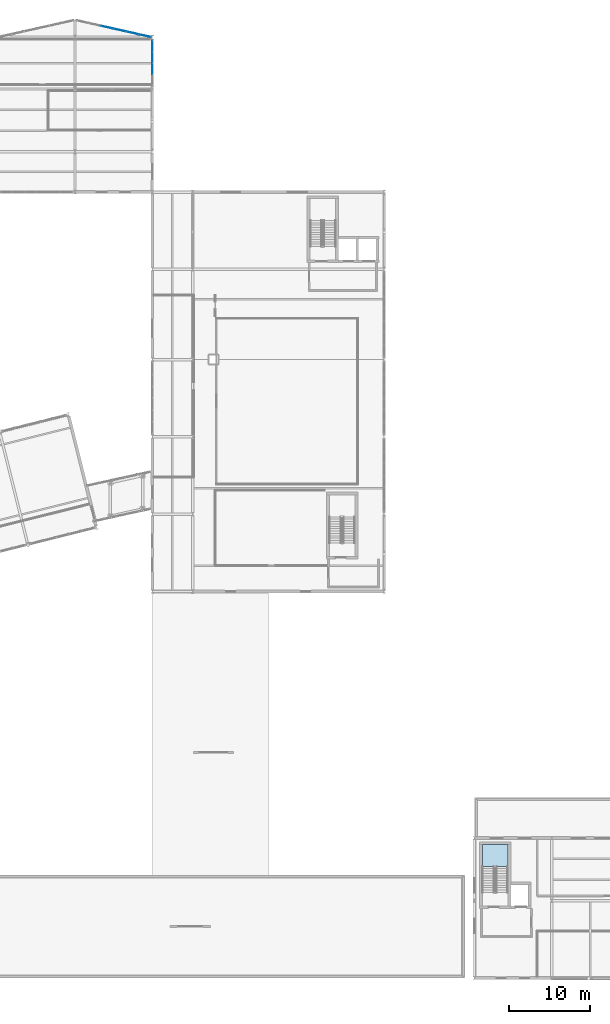
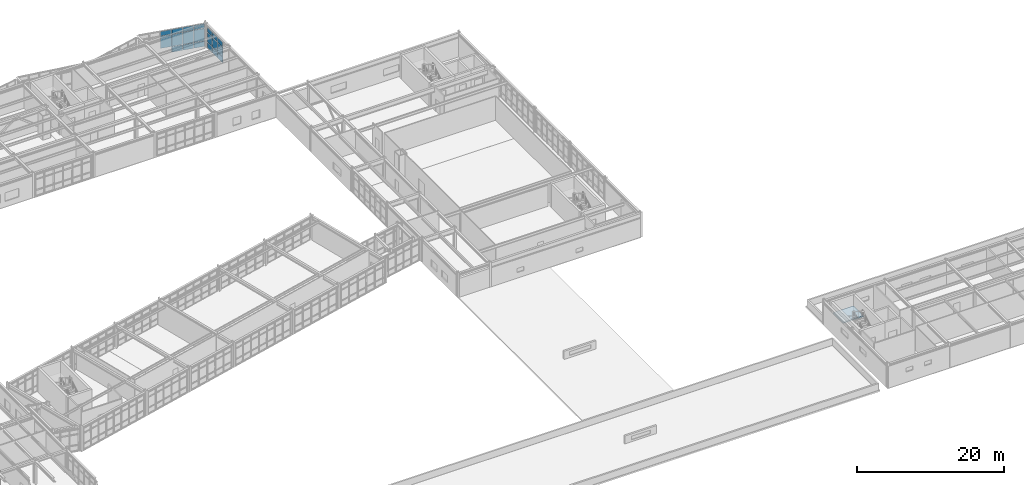
# One storey, part 62 of 88: 20 plates, 1 slab, 3 elements without a shape of their own.
"""IFC4 building model written with IfcOpenShell, lengths in metres."""

from ifc_helpers import new_model, si_unit, direction, frame, origin, origin_2d, place, context, subcontext, project, spatial, polyline, rectangle, outline, extrude, material, layer, layer_set, type_object, element, aggregate, save


model = new_model("IFC4")

# Units and contexts
model_context = context("Model", 3, precision=1e-05, world=origin(), true_north=direction((0.0, 1.0)))
body_context = subcontext(model_context, "Body", "Model", "MODEL_VIEW")
ifc_project = project(units=[si_unit("LENGTHUNIT", "METRE"), si_unit("AREAUNIT", "SQUARE_METRE"), si_unit("VOLUMEUNIT", "CUBIC_METRE"), si_unit("PLANEANGLEUNIT", "RADIAN"), si_unit("MASSUNIT", "GRAM", prefix="KILO")], contexts=[model_context])

# Site, building, storey
site_placement = place(None, origin())
site = spatial("IfcSite", under=ifc_project, at=site_placement, CompositionType="ELEMENT")
building_placement = place(site_placement, origin())
building = spatial("IfcBuilding", under=site, at=building_placement, Name="Nordkorset Police Headquarters", CompositionType="ELEMENT")
storey_placement = place(building_placement, frame((0.0, 0.0, 9.449951171875)))
storey = spatial("IfcBuildingStorey", under=building, at=storey_placement, Name="L02", CompositionType="ELEMENT", Elevation=9.449951171875)

# Curtain wall, plates
ifc_material_1 = material(Name="Aluminium alloy AW-6060", Category="aluminium")
ifc_layer_1 = layer(ifc_material_1, 0.179931640625, Name="Aluminium alloy AW-6060")
ifc_layer_set_1 = layer_set([ifc_layer_1], Name="Aluminium alloy AW-6060")
curtain_wall_type_1 = type_object("IfcCurtainWallType", Name="CW_Unit_956x392", PredefinedType="USERDEFINED", material=ifc_layer_set_1)
curtain_wall_1_placement = place(storey_placement, origin())
curtain_wall_1 = element("IfcCurtainWall", 1, at=curtain_wall_1_placement, inside=storey, type_object=curtain_wall_type_1, Name="Unitised Curtain Wall L02 V2N-5", ObjectType="UNITISED CURTAIN WALL", PredefinedType="USERDEFINED")
ifc_material_2 = material(Name="Low-iron triple glazing", Category="glass")
ifc_layer_2 = layer(ifc_material_2, 0.035888671875, Name="Low-iron triple glazing")
ifc_layer_set_2 = layer_set([ifc_layer_2], Name="Low-iron triple glazing")
plate_type = type_object("IfcPlateType", Name="CW_Panel_TripleGlazing_36", PredefinedType="CURTAIN_PANEL", material=ifc_layer_set_2)
plate_1_placement = place(storey_placement, frame((80.82275390625, 118.049072265625, 1.03271484375), z_axis=(0.0, 0.0, 1.0), x_axis=(0.975827090814, -0.218544020358, 0.0)))
plate_1 = element("IfcPlate", 2, at=plate_1_placement, type_object=plate_type, Name="CW-41 panel 3.2", PredefinedType="CURTAIN_PANEL", context=body_context, shape_type="SweptSolid", body=[
    extrude(rectangle(XDim=1.528076171875, YDim=0.035888671875, at=origin_2d()), origin(), (0.0, 0.0, 1.0), 2.0048828125),
])
plate_2_placement = place(storey_placement, frame((80.82275390625, 118.049072265625, 3.1025390625), z_axis=(0.0, 0.0, 1.0), x_axis=(0.975827090814, -0.218544020358, 0.0)))
plate_2 = element("IfcPlate", 3, at=plate_2_placement, type_object=plate_type, Name="CW-41 panel 3.3", PredefinedType="CURTAIN_PANEL", context=body_context, shape_type="SweptSolid", body=[
    extrude(rectangle(XDim=1.528076171875, YDim=0.035888671875, at=origin_2d()), origin(), (0.0, 0.0, 1.0), 0.75244140625),
])
plate_3_placement = place(storey_placement, frame((82.377197265625, 117.700927734375, 0.06494140625), z_axis=(0.0, 0.0, 1.0), x_axis=(0.975827090814, -0.218544020358, 0.0)))
plate_3 = element("IfcPlate", 4, at=plate_3_placement, type_object=plate_type, Name="CW-41 panel 4.1", PredefinedType="CURTAIN_PANEL", context=body_context, shape_type="SweptSolid", body=[
    extrude(rectangle(XDim=1.528076171875, YDim=0.035888671875, at=origin_2d()), origin(), (0.0, 0.0, 1.0), 0.902587890625),
])
plate_4_placement = place(storey_placement, frame((82.377197265625, 117.700927734375, 1.03271484375), z_axis=(0.0, 0.0, 1.0), x_axis=(0.975827090814, -0.218544020358, 0.0)))
plate_4 = element("IfcPlate", 5, at=plate_4_placement, type_object=plate_type, Name="CW-41 panel 4.2", PredefinedType="CURTAIN_PANEL", context=body_context, shape_type="SweptSolid", body=[
    extrude(rectangle(XDim=1.528076171875, YDim=0.035888671875, at=origin_2d()), origin(), (0.0, 0.0, 1.0), 2.0048828125),
])
plate_5_placement = place(storey_placement, frame((82.377197265625, 117.700927734375, 3.1025390625), z_axis=(0.0, 0.0, 1.0), x_axis=(0.975827090814, -0.218544020358, 0.0)))
plate_5 = element("IfcPlate", 6, at=plate_5_placement, type_object=plate_type, Name="CW-41 panel 4.3", PredefinedType="CURTAIN_PANEL", context=body_context, shape_type="SweptSolid", body=[
    extrude(rectangle(XDim=1.528076171875, YDim=0.035888671875, at=origin_2d()), origin(), (0.0, 0.0, 1.0), 0.75244140625),
])
plate_6_placement = place(storey_placement, frame((83.931640625, 117.352783203125, 0.06494140625), z_axis=(0.0, 0.0, 1.0), x_axis=(0.975827090814, -0.218544020358, 0.0)))
plate_6 = element("IfcPlate", 7, at=plate_6_placement, type_object=plate_type, Name="CW-41 panel 5.1", PredefinedType="CURTAIN_PANEL", context=body_context, shape_type="SweptSolid", body=[
    extrude(rectangle(XDim=1.528076171875, YDim=0.035888671875, at=origin_2d()), origin(), (0.0, 0.0, 1.0), 0.902587890625),
])
plate_7_placement = place(storey_placement, frame((83.931640625, 117.352783203125, 1.03271484375), z_axis=(0.0, 0.0, 1.0), x_axis=(0.975827090814, -0.218544020358, 0.0)))
plate_7 = element("IfcPlate", 8, at=plate_7_placement, type_object=plate_type, Name="CW-41 panel 5.2", PredefinedType="CURTAIN_PANEL", context=body_context, shape_type="SweptSolid", body=[
    extrude(rectangle(XDim=1.528076171875, YDim=0.035888671875, at=origin_2d()), origin(), (0.0, 0.0, 1.0), 2.0048828125),
])
plate_8_placement = place(storey_placement, frame((83.931640625, 117.352783203125, 3.1025390625), z_axis=(0.0, 0.0, 1.0), x_axis=(0.975827090814, -0.218544020358, 0.0)))
plate_8 = element("IfcPlate", 9, at=plate_8_placement, type_object=plate_type, Name="CW-41 panel 5.3", PredefinedType="CURTAIN_PANEL", context=body_context, shape_type="SweptSolid", body=[
    extrude(rectangle(XDim=1.528076171875, YDim=0.035888671875, at=origin_2d()), origin(), (0.0, 0.0, 1.0), 0.75244140625),
])
plate_9_placement = place(storey_placement, frame((85.47021484375, 117.00830078125, 0.06494140625), z_axis=(0.0, 0.0, 1.0), x_axis=(0.975827090814, -0.218544020358, 0.0)))
plate_9 = element("IfcPlate", 10, at=plate_9_placement, type_object=plate_type, Name="CW-41 panel 6.1", PredefinedType="CURTAIN_PANEL", context=body_context, shape_type="SweptSolid", body=[
    extrude(rectangle(XDim=1.495361328125, YDim=0.035888671875, at=origin_2d()), origin(), (0.0, 0.0, 1.0), 0.902587890625),
])
plate_10_placement = place(storey_placement, frame((85.47021484375, 117.00830078125, 1.03271484375), z_axis=(0.0, 0.0, 1.0), x_axis=(0.975827090814, -0.218544020358, 0.0)))
plate_10 = element("IfcPlate", 11, at=plate_10_placement, type_object=plate_type, Name="CW-41 panel 6.2", PredefinedType="CURTAIN_PANEL", context=body_context, shape_type="SweptSolid", body=[
    extrude(rectangle(XDim=1.495361328125, YDim=0.035888671875, at=origin_2d()), origin(), (0.0, 0.0, 1.0), 2.0048828125),
])
plate_11_placement = place(storey_placement, frame((85.47021484375, 117.00830078125, 3.1025390625), z_axis=(0.0, 0.0, 1.0), x_axis=(0.975827090814, -0.218544020358, 0.0)))
plate_11 = element("IfcPlate", 12, at=plate_11_placement, type_object=plate_type, Name="CW-41 panel 6.3", PredefinedType="CURTAIN_PANEL", context=body_context, shape_type="SweptSolid", body=[
    extrude(rectangle(XDim=1.495361328125, YDim=0.035888671875, at=origin_2d()), origin(), (0.0, 0.0, 1.0), 0.75244140625),
])
aggregate(curtain_wall_1, [plate_1, plate_2, plate_3, plate_4, plate_5, plate_6, plate_7, plate_8, plate_9, plate_10, plate_11])

ifc_material_3 = material(Name="Aluminium alloy AW-6060", Category="aluminium")
ifc_layer_3 = layer(ifc_material_3, 0.179931640625, Name="Aluminium alloy AW-6060")
ifc_layer_set_3 = layer_set([ifc_layer_3], Name="Aluminium alloy AW-6060")
curtain_wall_type_2 = type_object("IfcCurtainWallType", Name="CW_Unit_568x351", PredefinedType="USERDEFINED", material=ifc_layer_set_3)
curtain_wall_2_placement = place(storey_placement, origin())
curtain_wall_2 = element("IfcCurtainWall", 13, at=curtain_wall_2_placement, inside=storey, type_object=curtain_wall_type_2, Name="Unitised Curtain Wall L02 V2E-1", ObjectType="UNITISED CURTAIN WALL", PredefinedType="USERDEFINED")
plate_12_placement = place(storey_placement, frame((86.39990234375, 112.889892578125, 0.06494140625), z_axis=(0.0, 0.0, 1.0), x_axis=(0.0, 1.0, 0.0)))
plate_12 = element("IfcPlate", 14, at=plate_12_placement, type_object=plate_type, Name="CW-57 panel 2.1", PredefinedType="CURTAIN_PANEL", context=body_context, shape_type="SweptSolid", body=[
    extrude(rectangle(XDim=1.35498046875, YDim=0.035888671875, at=origin_2d()), origin(), (0.0, 0.0, 1.0), 0.902587890625),
])
plate_13_placement = place(storey_placement, frame((86.39990234375, 112.889892578125, 1.03271484375), z_axis=(0.0, 0.0, 1.0), x_axis=(0.0, 1.0, 0.0)))
plate_13 = element("IfcPlate", 15, at=plate_13_placement, type_object=plate_type, Name="CW-57 panel 2.2", PredefinedType="CURTAIN_PANEL", context=body_context, shape_type="SweptSolid", body=[
    extrude(rectangle(XDim=1.35498046875, YDim=0.035888671875, at=origin_2d()), origin(), (0.0, 0.0, 1.0), 1.594970703125),
])
plate_14_placement = place(storey_placement, frame((86.39990234375, 112.889892578125, 2.692626953125), z_axis=(0.0, 0.0, 1.0), x_axis=(0.0, 1.0, 0.0)))
plate_14 = element("IfcPlate", 16, at=plate_14_placement, type_object=plate_type, Name="CW-57 panel 2.3", PredefinedType="CURTAIN_PANEL", context=body_context, shape_type="SweptSolid", body=[
    extrude(rectangle(XDim=1.35498046875, YDim=0.035888671875, at=origin_2d()), origin(), (0.0, 0.0, 1.0), 0.75244140625),
])
plate_15_placement = place(storey_placement, frame((86.39990234375, 114.31005859375, 0.06494140625), z_axis=(0.0, 0.0, 1.0), x_axis=(0.0, 1.0, 0.0)))
plate_15 = element("IfcPlate", 17, at=plate_15_placement, type_object=plate_type, Name="CW-57 panel 3.1", PredefinedType="CURTAIN_PANEL", context=body_context, shape_type="SweptSolid", body=[
    extrude(rectangle(XDim=1.35498046875, YDim=0.035888671875, at=origin_2d()), origin(), (0.0, 0.0, 1.0), 0.902587890625),
])
plate_16_placement = place(storey_placement, frame((86.39990234375, 114.31005859375, 1.03271484375), z_axis=(0.0, 0.0, 1.0), x_axis=(0.0, 1.0, 0.0)))
plate_16 = element("IfcPlate", 18, at=plate_16_placement, type_object=plate_type, Name="CW-57 panel 3.2", PredefinedType="CURTAIN_PANEL", context=body_context, shape_type="SweptSolid", body=[
    extrude(rectangle(XDim=1.35498046875, YDim=0.035888671875, at=origin_2d()), origin(), (0.0, 0.0, 1.0), 1.594970703125),
])
plate_17_placement = place(storey_placement, frame((86.39990234375, 114.31005859375, 2.692626953125), z_axis=(0.0, 0.0, 1.0), x_axis=(0.0, 1.0, 0.0)))
plate_17 = element("IfcPlate", 19, at=plate_17_placement, type_object=plate_type, Name="CW-57 panel 3.3", PredefinedType="CURTAIN_PANEL", context=body_context, shape_type="SweptSolid", body=[
    extrude(rectangle(XDim=1.35498046875, YDim=0.035888671875, at=origin_2d()), origin(), (0.0, 0.0, 1.0), 0.75244140625),
])
plate_18_placement = place(storey_placement, frame((86.39990234375, 115.7138671875, 0.06494140625), z_axis=(0.0, 0.0, 1.0), x_axis=(0.0, 1.0, 0.0)))
plate_18 = element("IfcPlate", 20, at=plate_18_placement, type_object=plate_type, Name="CW-57 panel 4.1", PredefinedType="CURTAIN_PANEL", context=body_context, shape_type="SweptSolid", body=[
    extrude(rectangle(XDim=1.322509765625, YDim=0.035888671875, at=origin_2d()), origin(), (0.0, 0.0, 1.0), 0.902587890625),
])
plate_19_placement = place(storey_placement, frame((86.39990234375, 115.7138671875, 1.03271484375), z_axis=(0.0, 0.0, 1.0), x_axis=(0.0, 1.0, 0.0)))
plate_19 = element("IfcPlate", 21, at=plate_19_placement, type_object=plate_type, Name="CW-57 panel 4.2", PredefinedType="CURTAIN_PANEL", context=body_context, shape_type="SweptSolid", body=[
    extrude(rectangle(XDim=1.322509765625, YDim=0.035888671875, at=origin_2d()), origin(), (0.0, 0.0, 1.0), 1.594970703125),
])
plate_20_placement = place(storey_placement, frame((86.39990234375, 115.7138671875, 2.692626953125), z_axis=(0.0, 0.0, 1.0), x_axis=(0.0, 1.0, 0.0)))
plate_20 = element("IfcPlate", 22, at=plate_20_placement, type_object=plate_type, Name="CW-57 panel 4.3", PredefinedType="CURTAIN_PANEL", context=body_context, shape_type="SweptSolid", body=[
    extrude(rectangle(XDim=1.322509765625, YDim=0.035888671875, at=origin_2d()), origin(), (0.0, 0.0, 1.0), 0.75244140625),
])
aggregate(curtain_wall_2, [plate_12, plate_13, plate_14, plate_15, plate_16, plate_17, plate_18, plate_19, plate_20])

# Stair, slab
ifc_material_4 = material(Name="Concrete C35/45", Category="concrete")
stair_type = type_object("IfcStairType", Name="ST-42", PredefinedType="HALF_TURN_STAIR", material=ifc_material_4)
stair_placement = place(storey_placement, origin())
stair = element("IfcStair", 23, at=stair_placement, inside=storey, type_object=stair_type, Name="L02 Protected Escape Stair ST-06", PredefinedType="HALF_TURN_STAIR")
ifc_material_5 = material(Name="Concrete C35/45", Category="concrete")
ifc_layer_4 = layer(ifc_material_5, 0.199951171875, Name="Concrete C35/45")
ifc_layer_set_4 = layer_set([ifc_layer_4], Name="Concrete C35/45")
slab_type = type_object("IfcSlabType", Name="Slab_StairLanding_200", PredefinedType="LANDING", material=ifc_layer_set_4)
slab_placement = place(storey_placement, frame((0.0, 0.0, 1.900146484375)))
slab = element("IfcSlab", 24, at=slab_placement, type_object=slab_type, Name="ST-06 landing 1", PredefinedType="LANDING", context=body_context, shape_type="SweptSolid", body=[
    extrude(outline(polyline([(130.574951171875, 13.8701171875), (130.574951171875, 16.574951171875), (127.375, 16.574951171875), (127.375, 13.8701171875), (130.574951171875, 13.8701171875)])), origin(), (0.0, 0.0, 1.0), 0.199951171875),
])
aggregate(stair, [slab])

save(model, "model.ifc")
